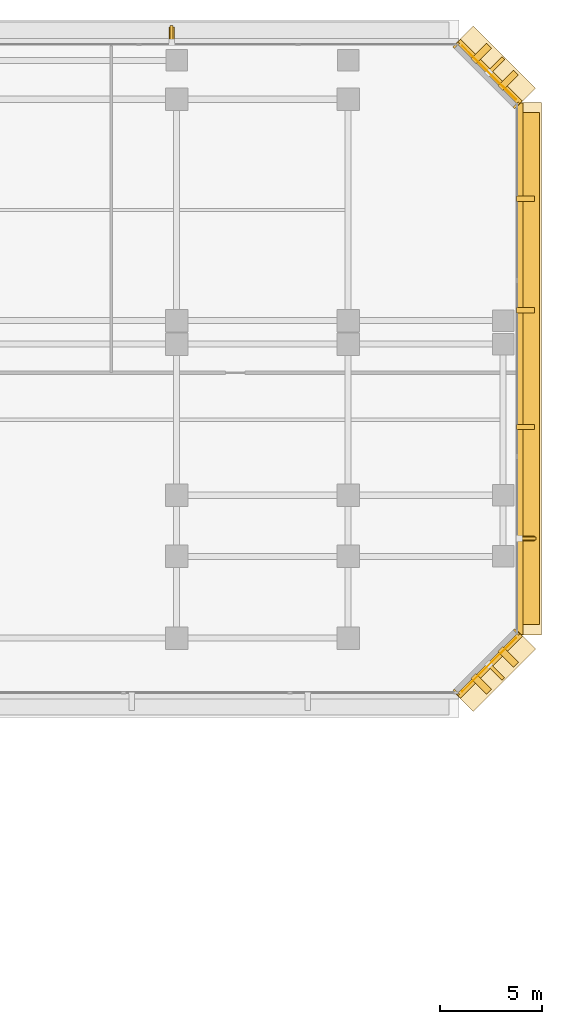
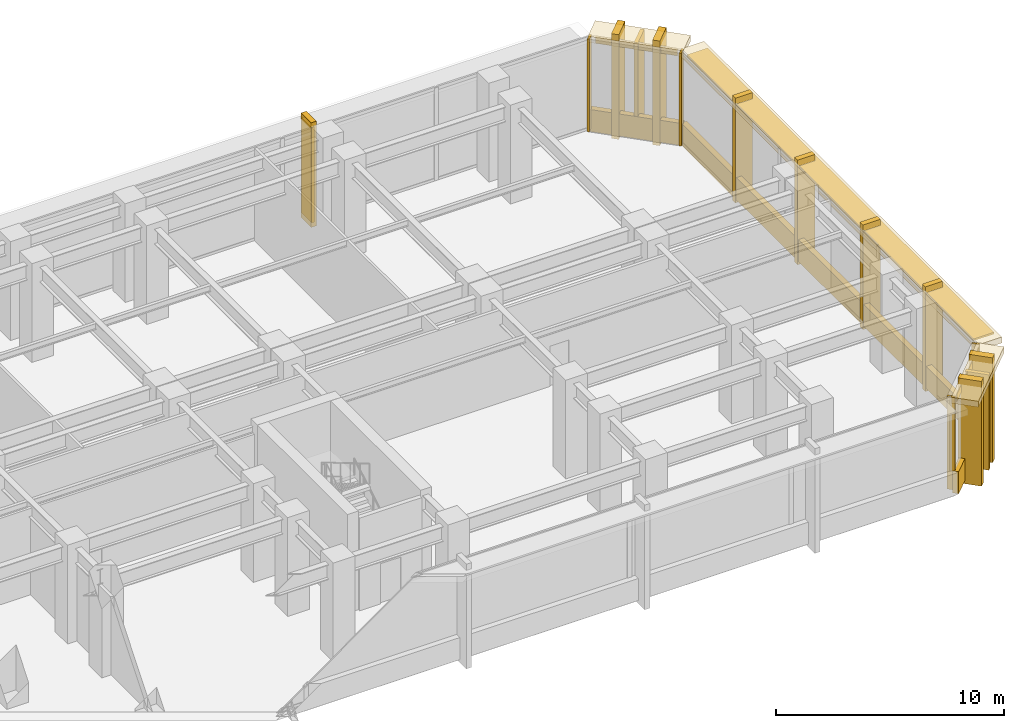
# One storey, part 20 of 20: 21 coverings, 5 shading devices.
"""IFC4 building model written with IfcOpenShell, lengths in metres."""

from ifc_helpers import new_model, si_unit, direction, frame, origin, origin_2d, place, context, subcontext, project, spatial, rectangle, extrude, material, layer, layer_set, material_profile, profile_set, type_object, element, save


model = new_model("IFC4")

# Units and contexts
model_context = context("Model", 3, precision=1e-05, world=origin(), true_north=direction((0.0, 1.0)))
body_context = subcontext(model_context, "Body", "Model", "MODEL_VIEW")
ifc_project = project(units=[si_unit("LENGTHUNIT", "METRE"), si_unit("AREAUNIT", "SQUARE_METRE"), si_unit("VOLUMEUNIT", "CUBIC_METRE"), si_unit("PLANEANGLEUNIT", "RADIAN"), si_unit("MASSUNIT", "GRAM", prefix="KILO")], contexts=[model_context])

# Site, building, storey
site_placement = place(None, origin())
site = spatial("IfcSite", under=ifc_project, at=site_placement, CompositionType="ELEMENT")
building_placement = place(site_placement, origin())
building = spatial("IfcBuilding", under=site, at=building_placement, Name="Kefirva Bronze Tower", CompositionType="ELEMENT")
storey_placement = place(building_placement, frame((0.0, 0.0, 5.93994140625)))
storey = spatial("IfcBuildingStorey", under=building, at=storey_placement, Name="L01", CompositionType="ELEMENT", Elevation=5.93994140625)

# Coverings
ifc_material = material(Name="Bronze anodised aluminium", Category="aluminium")
ifc_layer_1 = layer(ifc_material, 0.02001953125, Name="Bronze anodised aluminium")
ifc_layer_set_1 = layer_set([ifc_layer_1], Name="Bronze anodised aluminium")
covering_type_1 = type_object("IfcCoveringType", Name="Anodised Bronze Spandrel Cladding 20mm", PredefinedType="CLADDING", material=ifc_layer_set_1)
covering_1_placement = place(storey_placement, frame((80.507080078125, 17.492919921875, 4.5400390625), z_axis=(0.0, 0.0, 1.0), x_axis=(0.707106781187, 0.707106781187, 0.0)))
element("IfcCovering", 1, at=covering_1_placement, inside=storey, type_object=covering_type_1, Name="L01 Bronze Spandrel Cladding 4", PredefinedType="CLADDING", context=body_context, shape_type="SweptSolid", body=[
    extrude(rectangle(XDim=3.719482421875, YDim=0.02001953125, at=origin_2d()), origin(), (0.0, 0.0, 1.0), 0.39990234375),
])
for number, where, z_axis, x_axis, name in (
    (2, (78.8974609375, 16.152099609375, 0.0), (0.0, 0.0, 1.0), (0.707106781187, 0.707106781187, 0.0), "L01 Facade Joint Closure Panel 4S"),
    (3, (81.847900390625, 19.1025390625, 0.0), (0.0, 0.0, 1.0), (0.707106781187, 0.707106781187, 0.0), "L01 Facade Joint Closure Panel 4E"),
):
    element("IfcCovering", number, at=place(storey_placement, frame(where, z_axis=z_axis, x_axis=x_axis)), inside=storey, type_object=covering_type_1, Name=name, PredefinedType="CLADDING", context=body_context, shape_type="SweptSolid", body=[
        extrude(rectangle(XDim=0.10009765625, YDim=0.360107421875, at=origin_2d()), origin(), (0.0, 0.0, 1.0), 4.9599609375),
    ])
covering_2_placement = place(storey_placement, frame((80.5283203125, 17.4716796875, -0.15966796875), z_axis=(0.0, 0.0, 1.0), x_axis=(0.707106781187, 0.707106781187, 0.0)))
element("IfcCovering", 4, at=covering_2_placement, inside=storey, type_object=covering_type_1, Name="L01 Streamline Horizontal Spandrel Band 5", PredefinedType="CLADDING", context=body_context, shape_type="SweptSolid", body=[
    extrude(rectangle(XDim=4.28271484375, YDim=0.280029296875, at=origin_2d()), origin(), (0.0, 0.0, 1.0), 1.179931640625),
])
covering_3_placement = place(storey_placement, frame((82.0400390625, 32.0, -0.15966796875), z_axis=(0.0, 0.0, 1.0), x_axis=(0.0, 1.0, 0.0)))
element("IfcCovering", 5, at=covering_3_placement, inside=storey, type_object=covering_type_1, Name="L01 Streamline Horizontal Spandrel Band 6", PredefinedType="CLADDING", context=body_context, shape_type="SweptSolid", body=[
    extrude(rectangle(XDim=26.0400390625, YDim=0.280029296875, at=origin_2d()), origin(), (0.0, 0.0, 1.0), 1.179931640625),
])
covering_4_placement = place(storey_placement, frame((80.507080078125, 46.507080078125, 4.5400390625), z_axis=(0.0, 0.0, 1.0), x_axis=(-0.707106781187, 0.707106781187, 0.0)))
element("IfcCovering", 6, at=covering_4_placement, inside=storey, type_object=covering_type_1, Name="L01 Bronze Spandrel Cladding 5", PredefinedType="CLADDING", context=body_context, shape_type="SweptSolid", body=[
    extrude(rectangle(XDim=3.719482421875, YDim=0.02001953125, at=origin_2d()), origin(), (0.0, 0.0, 1.0), 0.39990234375),
])
for number, where, z_axis, x_axis, name in (
    (7, (81.847900390625, 44.8974609375, 0.0), (0.0, 0.0, 1.0), (-0.707106781187, 0.707106781187, 0.0), "L01 Facade Joint Closure Panel 5S"),
    (8, (78.8974609375, 47.847900390625, 0.0), (0.0, 0.0, 1.0), (-0.707106781187, 0.707106781187, 0.0), "L01 Facade Joint Closure Panel 5E"),
):
    element("IfcCovering", number, at=place(storey_placement, frame(where, z_axis=z_axis, x_axis=x_axis)), inside=storey, type_object=covering_type_1, Name=name, PredefinedType="CLADDING", context=body_context, shape_type="SweptSolid", body=[
        extrude(rectangle(XDim=0.10009765625, YDim=0.360107421875, at=origin_2d()), origin(), (0.0, 0.0, 1.0), 4.9599609375),
    ])
covering_5_placement = place(storey_placement, frame((80.5283203125, 46.5283203125, -0.15966796875), z_axis=(0.0, 0.0, 1.0), x_axis=(-0.707106781187, 0.707106781187, 0.0)))
element("IfcCovering", 9, at=covering_5_placement, inside=storey, type_object=covering_type_1, Name="L01 Streamline Horizontal Spandrel Band 7", PredefinedType="CLADDING", context=body_context, shape_type="SweptSolid", body=[
    extrude(rectangle(XDim=4.28271484375, YDim=0.280029296875, at=origin_2d()), origin(), (0.0, 0.0, 1.0), 1.179931640625),
])

# Shading devices
ifc_material_profile_1 = material_profile(ifc_material, rectangle(XDim=0.179931640625, YDim=1.080078125, at=origin_2d()), Name="BRONZE BUTTRESS FIN 180x1080")
ifc_profile_set_1 = profile_set([ifc_material_profile_1], Name="Bronze anodised aluminium")
shading_device_type_1 = type_object("IfcShadingDeviceType", Name="Chamfered Corner Buttress Bronze Fin 1080mm", PredefinedType="USERDEFINED", material=ifc_profile_set_1)
for number, where, z_axis, x_axis, name in (
    (10, (80.8251953125, 17.1748046875, -0.139892578125), (0.0, 0.0, 1.0), (0.707106781187, 0.707106781187, 0.0), "L01 Chamfered Corner Buttress Fin 16"),
    (11, (80.8251953125, 46.8251953125, -0.139892578125), (0.0, 0.0, 1.0), (-0.707106781187, 0.707106781187, 0.0), "L01 Chamfered Corner Buttress Fin 22"),
):
    element("IfcShadingDevice", number, at=place(storey_placement, frame(where, z_axis=z_axis, x_axis=x_axis)), inside=storey, type_object=shading_device_type_1, Name=name, ObjectType="VERTICAL FIN", PredefinedType="USERDEFINED", context=body_context, shape_type="SweptSolid", body=[
        extrude(rectangle(XDim=0.179931640625, YDim=1.080078125, at=origin_2d()), origin(), (0.0, 0.0, 1.0), 5.099853515625),
    ])
ifc_layer_2 = layer(ifc_material, 0.1201171875, Name="Bronze anodised aluminium")
ifc_layer_set_2 = layer_set([ifc_layer_2], Name="Bronze anodised aluminium")
shading_device_type_2 = type_object("IfcShadingDeviceType", Name="Podium Deep Bronze Canopy Sunshade 1050mm", PredefinedType="JALOUSIE", material=ifc_layer_set_2)
shading_device_placement = place(storey_placement, frame((82.445068359375, 32.0, 4.85498046875), z_axis=(0.0, 0.0, 1.0), x_axis=(0.0, 1.0, 0.0)))
element("IfcShadingDevice", 12, at=shading_device_placement, inside=storey, type_object=shading_device_type_2, Name="L01 Horizontal Bronze Sunshade Band 6", PredefinedType="JALOUSIE", context=body_context, shape_type="SweptSolid", body=[
    extrude(rectangle(XDim=25.090087890625, YDim=1.050048828125, at=origin_2d()), origin(), (0.0, 0.0, 1.0), 0.090087890625),
])

# Coverings
ifc_layer_3 = layer(ifc_material, 0.179931640625, Name="Bronze anodised aluminium")
ifc_layer_set_3 = layer_set([ifc_layer_3], Name="Bronze anodised aluminium")
covering_type_2 = type_object("IfcCoveringType", Name="Streamline Bronze Sunshade Eyebrow Cladding 180mm", PredefinedType="CLADDING", material=ifc_layer_set_3)
covering_6_placement = place(storey_placement, frame((80.8251953125, 17.1748046875, 4.64013671875), z_axis=(0.0, 0.0, 1.0), x_axis=(0.707106781187, 0.707106781187, 0.0)))
element("IfcCovering", 13, at=covering_6_placement, inside=storey, type_object=covering_type_2, Name="L01 Streamline Bronze Sunshade Eyebrow 5", PredefinedType="CLADDING", context=body_context, shape_type="SweptSolid", body=[
    extrude(rectangle(XDim=4.322509765625, YDim=1.239990234375, at=origin_2d()), origin(), (0.0, 0.0, 1.0), 0.320068359375),
])
covering_7_placement = place(storey_placement, frame((82.4599609375, 32.0, 4.64013671875), z_axis=(0.0, 0.0, 1.0), x_axis=(0.0, 1.0, 0.0)))
element("IfcCovering", 14, at=covering_7_placement, inside=storey, type_object=covering_type_2, Name="L01 Streamline Bronze Sunshade Eyebrow 6", PredefinedType="CLADDING", context=body_context, shape_type="SweptSolid", body=[
    extrude(rectangle(XDim=26.080078125, YDim=1.239990234375, at=origin_2d()), origin(), (0.0, 0.0, 1.0), 0.320068359375),
])
covering_8_placement = place(storey_placement, frame((80.8251953125, 46.8251953125, 4.64013671875), z_axis=(0.0, 0.0, 1.0), x_axis=(-0.707106781187, 0.707106781187, 0.0)))
element("IfcCovering", 15, at=covering_8_placement, inside=storey, type_object=covering_type_2, Name="L01 Streamline Bronze Sunshade Eyebrow 7", PredefinedType="CLADDING", context=body_context, shape_type="SweptSolid", body=[
    extrude(rectangle(XDim=4.322509765625, YDim=1.239990234375, at=origin_2d()), origin(), (0.0, 0.0, 1.0), 0.320068359375),
])
ifc_layer_4 = layer(ifc_material, 0.260009765625, Name="Bronze anodised aluminium")
ifc_layer_set_4 = layer_set([ifc_layer_4], Name="Bronze anodised aluminium")
covering_type_3 = type_object("IfcCoveringType", Name="Unbroken Bronze Buttress Fin Cladding 260mm", PredefinedType="CLADDING", material=ifc_layer_set_4)
for number, where, z_axis, x_axis, name in (
    (16, (80.122802734375, 16.55712890625, -0.320068359375), (0.0, 0.0, 1.0), (0.707106781187, 0.707106781187, 0.0), "L01 Chamfered Corner Buttress Fin Cladding 15"),
    (17, (81.44287109375, 17.877197265625, -0.320068359375), (0.0, 0.0, 1.0), (0.707106781187, 0.707106781187, 0.0), "L01 Chamfered Corner Buttress Fin Cladding 16"),
):
    element("IfcCovering", number, at=place(storey_placement, frame(where, z_axis=z_axis, x_axis=x_axis)), inside=storey, type_object=covering_type_3, Name=name, PredefinedType="CLADDING", context=body_context, shape_type="SweptSolid", body=[
        extrude(rectangle(XDim=0.340087890625, YDim=1.080078125, at=origin_2d()), origin(), (0.0, 0.0, 1.0), 5.60009765625),
    ])
for number, where, z_axis, x_axis, name in (
    (18, (82.300048828125, 23.679931640625, -0.320068359375), (0.0, 0.0, 1.0), (0.0, 1.0, 0.0), "L01 Unbroken Vertical Bronze Rib Fin 17"),
    (19, (82.300048828125, 29.139892578125, -0.320068359375), (0.0, 0.0, 1.0), (0.0, 1.0, 0.0), "L01 Unbroken Vertical Bronze Rib Fin 18"),
    (20, (82.300048828125, 34.860107421875, -0.320068359375), (0.0, 0.0, 1.0), (0.0, 1.0, 0.0), "L01 Unbroken Vertical Bronze Rib Fin 19"),
    (21, (82.300048828125, 40.320068359375, -0.320068359375), (0.0, 0.0, 1.0), (0.0, 1.0, 0.0), "L01 Unbroken Vertical Bronze Rib Fin 20"),
):
    element("IfcCovering", number, at=place(storey_placement, frame(where, z_axis=z_axis, x_axis=x_axis)), inside=storey, type_object=covering_type_3, Name=name, PredefinedType="CLADDING", context=body_context, shape_type="SweptSolid", body=[
        extrude(rectangle(XDim=0.260009765625, YDim=0.8798828125, at=origin_2d()), origin(), (0.0, 0.0, 1.0), 5.60009765625),
    ])
for number, where, z_axis, x_axis, name in (
    (22, (81.44287109375, 46.122802734375, -0.320068359375), (0.0, 0.0, 1.0), (-0.707106781187, 0.707106781187, 0.0), "L01 Chamfered Corner Buttress Fin Cladding 21"),
    (23, (80.122802734375, 47.44287109375, -0.320068359375), (0.0, 0.0, 1.0), (-0.707106781187, 0.707106781187, 0.0), "L01 Chamfered Corner Buttress Fin Cladding 22"),
):
    element("IfcCovering", number, at=place(storey_placement, frame(where, z_axis=z_axis, x_axis=x_axis)), inside=storey, type_object=covering_type_3, Name=name, PredefinedType="CLADDING", context=body_context, shape_type="SweptSolid", body=[
        extrude(rectangle(XDim=0.340087890625, YDim=1.080078125, at=origin_2d()), origin(), (0.0, 0.0, 1.0), 5.60009765625),
    ])
covering_9_placement = place(storey_placement, frame((64.9599609375, 48.300048828125, -0.320068359375), z_axis=(0.0, 0.0, 1.0), x_axis=(-1.0, 0.0, 0.0)))
element("IfcCovering", 24, at=covering_9_placement, inside=storey, type_object=covering_type_3, Name="L01 Unbroken Vertical Bronze Rib Fin 23", PredefinedType="CLADDING", context=body_context, shape_type="SweptSolid", body=[
    extrude(rectangle(XDim=0.260009765625, YDim=0.8798828125, at=origin_2d()), origin(), (0.0, 0.0, 1.0), 5.60009765625),
])

# Shading devices
ifc_material_profile_2 = material_profile(ifc_material, rectangle(XDim=0.139892578125, YDim=0.8798828125, at=origin_2d()), Name="BRONZE FIN 140x880")
ifc_profile_set_2 = profile_set([ifc_material_profile_2], Name="Bronze anodised aluminium")
shading_device_type_3 = type_object("IfcShadingDeviceType", Name="Unbroken Vertical Bronze Facade Fin 880mm", PredefinedType="USERDEFINED", material=ifc_profile_set_2)
for number, where, z_axis, x_axis, name in (
    (25, (82.360107421875, 23.679931640625, -0.139892578125), (0.0, 0.0, 1.0), (0.0, 1.0, 0.0), "L01 Vertical Bronze Rib Fin 17"),
    (26, (64.9599609375, 48.360107421875, -0.139892578125), (0.0, 0.0, 1.0), (-1.0, 0.0, 0.0), "L01 Vertical Bronze Rib Fin 23"),
):
    element("IfcShadingDevice", number, at=place(storey_placement, frame(where, z_axis=z_axis, x_axis=x_axis)), inside=storey, type_object=shading_device_type_3, Name=name, ObjectType="VERTICAL FIN", PredefinedType="USERDEFINED", context=body_context, shape_type="SweptSolid", body=[
        extrude(rectangle(XDim=0.139892578125, YDim=0.8798828125, at=origin_2d()), origin(), (0.0, 0.0, 1.0), 5.099853515625),
    ])

save(model, "model.ifc")
